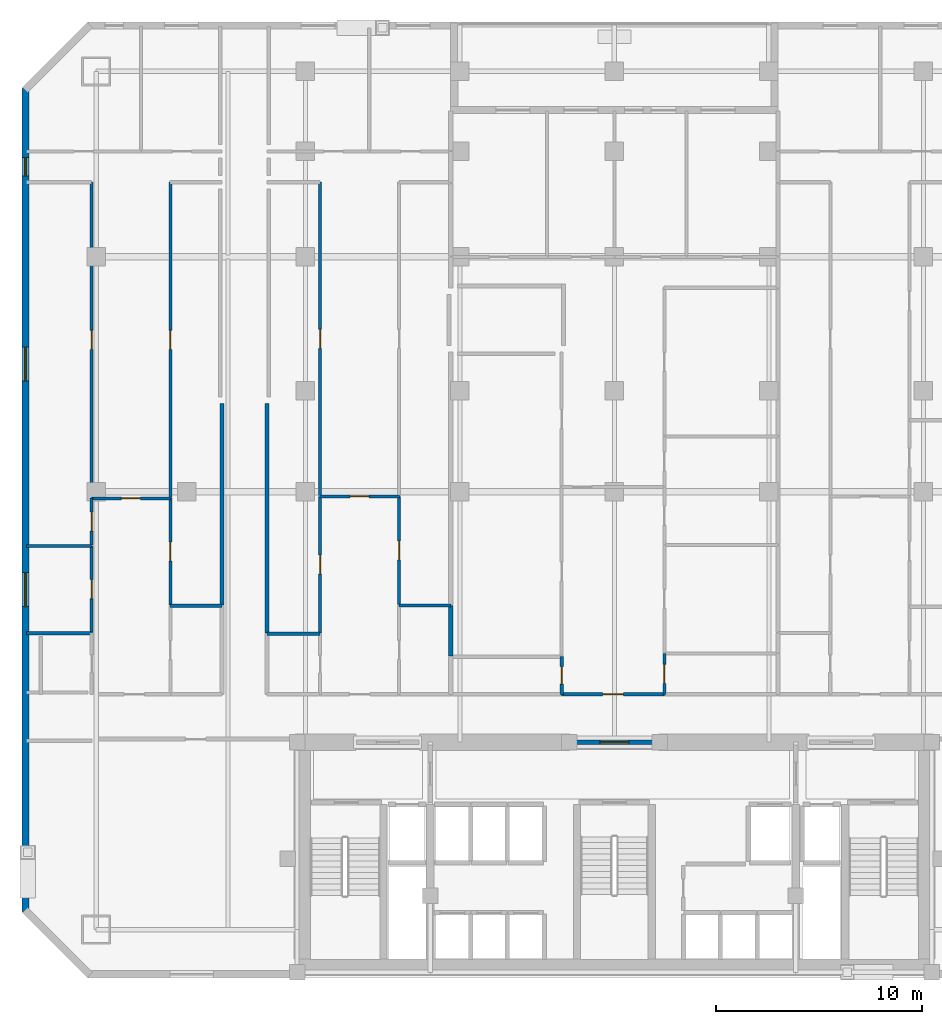
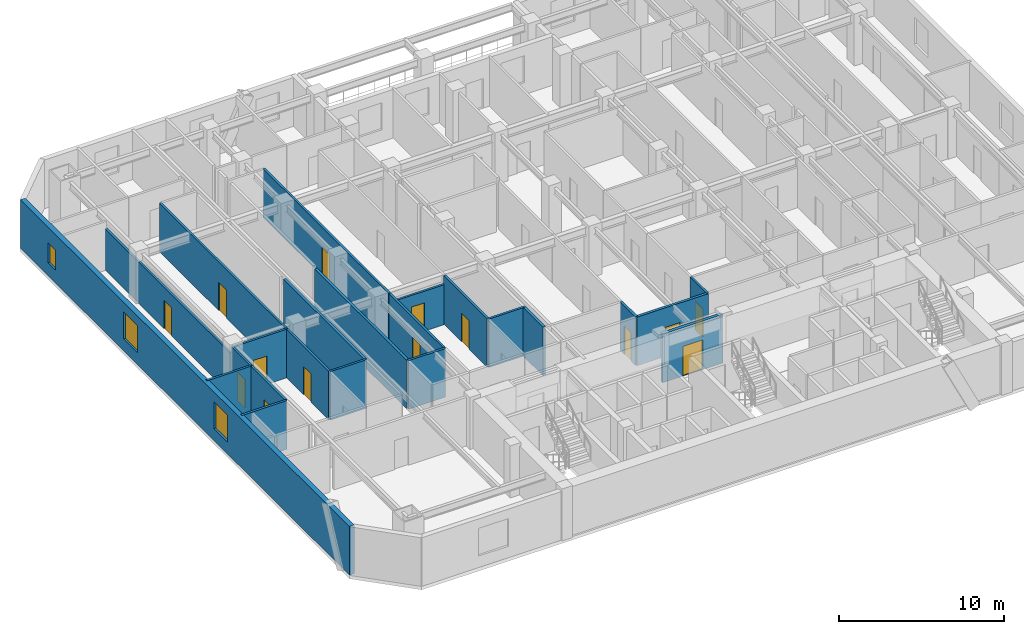
# One storey, part 4 of 10: 23 walls, 14 doors, 3 windows, 17 openings.
"""IFC4 building model written with IfcOpenShell, lengths in metres."""

from ifc_helpers import new_model, si_unit, direction, frame, frame_2d, origin, place, context, subcontext, project, spatial, rectangle, extrude, material, layer, layer_set, type_object, element, fill, save


model = new_model("IFC4")

# Units and contexts
model_context = context("Model", 3, precision=1e-05, world=origin(), true_north=direction((0.0, 1.0)))
body_context = subcontext(model_context, "Body", "Model", "MODEL_VIEW")
ifc_project = project(units=[si_unit("LENGTHUNIT", "METRE"), si_unit("AREAUNIT", "SQUARE_METRE"), si_unit("VOLUMEUNIT", "CUBIC_METRE"), si_unit("PLANEANGLEUNIT", "RADIAN"), si_unit("MASSUNIT", "GRAM", prefix="KILO")], contexts=[model_context])

# Site, building, storey
site_placement = place(None, origin())
site = spatial("IfcSite", under=ifc_project, at=site_placement, CompositionType="ELEMENT")
building_placement = place(site_placement, origin())
building = spatial("IfcBuilding", under=site, at=building_placement, Name="Ventersveld Concourse Tower", CompositionType="ELEMENT")
storey_placement = place(building_placement, frame((0.0, 0.0, 64.449951171875)))
storey = spatial("IfcBuildingStorey", under=building, at=storey_placement, Name="L15", CompositionType="ELEMENT", Elevation=64.449951171875)

# Walls
ifc_material_1 = material(Name="Fire-rated autoclaved aerated masonry blockwork", Category="masonry")
ifc_layer_1 = layer(ifc_material_1, 0.179931640625)
ifc_layer_set_1 = layer_set([ifc_layer_1], Name="Fire-rated autoclaved aerated masonry blockwork")
wall_type_1 = type_object("IfcWallType", Name="WL-CORR-180", PredefinedType="PARTITIONING", material=ifc_layer_set_1)
wall_1_placement = place(storey_placement, frame((9.7099609375, 18.103515625, 0.0), z_axis=(0.0, 0.0, 1.0), x_axis=(0.0, 1.0, 0.0)))
element("IfcWall", 1, at=wall_1_placement, inside=storey, type_object=wall_type_1, Name="L15 Interior Partition SP-L15-COR-SP-L15-15NW-DENR", PredefinedType="PARTITIONING", context=body_context, shape_type="SweptSolid", body=[
    extrude(rectangle(XDim=9.79150390625, YDim=0.179931640625, at=frame_2d((4.895751953125, 0.0))), origin(), (0.0, 0.0, 1.0), 3.60009765625),
])
wall_2_placement = place(storey_placement, frame((11.889892578125, 16.739501953125, 0.0), z_axis=(0.0, 0.0, 1.0), x_axis=(0.0, 1.0, 0.0)))
element("IfcWall", 2, at=wall_2_placement, inside=storey, type_object=wall_type_1, Name="L15 Interior Partition SP-L15-COR-SP-L15-15CW-SEML0", PredefinedType="PARTITIONING", context=body_context, shape_type="SweptSolid", body=[
    extrude(rectangle(XDim=11.155517578125, YDim=0.179931640625, at=frame_2d((5.57763671875, 0.0))), origin(), (0.0, 0.0, 1.0), 3.60009765625),
])

# Wall, opening, door
wall_3_placement = place(storey_placement, frame((26.189697265625, 13.77001953125, 0.0), z_axis=(0.0, 0.0, 1.0), x_axis=(1.0, 0.0, 0.0)))
wall_3 = element("IfcWall", 3, at=wall_3_placement, inside=storey, type_object=wall_type_1, Name="L15 Interior Partition SP-L15-COR-SP-L15-15CM-FOY", PredefinedType="PARTITIONING", context=body_context, shape_type="SweptSolid", body=[
    extrude(rectangle(XDim=4.989990234375, YDim=0.179931640625, at=frame_2d((2.4951171875, 0.0))), origin(), (0.0, 0.0, 1.0), 3.60009765625),
])
opening_1_placement = place(wall_3_placement, frame((1.9951171875, 0.0, 0.0)))
opening_1 = element("IfcOpeningElement", 4, at=opening_1_placement, cuts=wall_3, Name="Opening FD3", PredefinedType="OPENING", context=body_context, shape_type="SweptSolid", body=[
    extrude(rectangle(XDim=1.0, YDim=2.14990234375, at=frame_2d((0.5, 1.074951171875))), frame((0.0, 0.10009765625, 0.0), z_axis=(0.0, -1.0, 0.0), x_axis=(1.0, 0.0, 0.0)), (0.0, 0.0, 1.0), 0.199951171875),
])
ifc_material_2 = material(Name="Solid-core hardwood veneer timber", Category="wood")
door_type_1 = type_object("IfcDoorType", Name="DR-FLAT-100", OperationType="NOTDEFINED", PredefinedType="DOOR", material=ifc_material_2)
door_1_placement = place(opening_1_placement, origin())
door_1 = element("IfcDoor", 5, at=door_1_placement, inside=storey, type_object=door_type_1, Name="L15 Interior Door SP-L15-COR to SP-L15-15CM-FOY (FD-L15-0661)", OperationType="SINGLE_SWING_LEFT", OverallHeight=2.14990234375, OverallWidth=1.0, PredefinedType="DOOR", context=body_context, shape_type="SweptSolid", body=[
    extrude(rectangle(XDim=1.0, YDim=2.14990234375, at=frame_2d((0.5, 1.074951171875))), frame((0.0, 0.02490234375, 0.0), z_axis=(0.0, -1.0, 0.0), x_axis=(1.0, 0.0, 0.0)), (0.0, 0.0, 1.0), 0.050048828125),
])
fill(opening_1, door_1)

# Wall
ifc_layer_2 = layer(ifc_material_1, 0.199951171875)
ifc_layer_set_2 = layer_set([ifc_layer_2], Name="Fire-rated autoclaved aerated masonry blockwork")
wall_type_2 = type_object("IfcWallType", Name="WL-DEMISE-200", PredefinedType="PARTITIONING", material=ifc_layer_set_2)
wall_4_placement = place(storey_placement, frame((20.81005859375, 15.635009765625, 0.0), z_axis=(0.0, 0.0, 1.0), x_axis=(0.0, 1.0, 0.0)))
element("IfcWall", 6, at=wall_4_placement, inside=storey, type_object=wall_type_2, Name="L15 Interior Partition SP-L15-15CW-KIT-SP-L15-15CM-DENL", PredefinedType="PARTITIONING", context=body_context, shape_type="SweptSolid", body=[
    extrude(rectangle(XDim=2.451904296875, YDim=0.199951171875, at=frame_2d((1.22607421875, 0.0))), origin(), (0.0, 0.0, 1.0), 3.60009765625),
])

# Wall, opening, door
ifc_layer_3 = layer(ifc_material_1, 0.219970703125)
ifc_layer_set_3 = layer_set([ifc_layer_3], Name="Fire-rated autoclaved aerated masonry blockwork")
wall_type_3 = type_object("IfcWallType", Name="WL-HOIST-220", PredefinedType="SOLIDWALL", material=ifc_layer_set_3)
wall_5_placement = place(storey_placement, frame((26.6298828125, 11.449951171875, 0.0), z_axis=(0.0, 0.0, 1.0), x_axis=(1.0, 0.0, 0.0)))
wall_5 = element("IfcWall", 7, at=wall_5_placement, inside=storey, type_object=wall_type_3, Name="L15 Core North Fire Portal PLOB-OUT", PredefinedType="SOLIDWALL", context=body_context, shape_type="SweptSolid", body=[
    extrude(rectangle(XDim=4.240234375, YDim=0.219970703125, at=frame_2d((2.1201171875, 0.0))), origin(), (0.0, 0.0, 1.0), 3.60009765625),
])
opening_2_placement = place(wall_5_placement, frame((1.419921875, 0.0, 0.0)))
opening_2 = element("IfcOpeningElement", 8, at=opening_2_placement, cuts=wall_5, Name="Opening FD4", PredefinedType="OPENING", context=body_context, shape_type="SweptSolid", body=[
    extrude(rectangle(XDim=1.39990234375, YDim=2.199951171875, at=frame_2d((0.699951171875, 1.10009765625))), frame((0.0, 0.1201171875, 0.0), z_axis=(0.0, -1.0, 0.0), x_axis=(1.0, 0.0, 0.0)), (0.0, 0.0, 1.0), 0.239990234375),
])
ifc_material_3 = material(Name="Galvanised painted steel", Category="steel")
door_type_2 = type_object("IfcDoorType", Name="DR-PLANT-140", OperationType="DOUBLE_DOOR_SINGLE_SWING", PredefinedType="DOOR", material=ifc_material_3)
door_2_placement = place(opening_2_placement, origin())
door_2 = element("IfcDoor", 9, at=door_2_placement, inside=storey, type_object=door_type_2, Name="L15 Core Lobby Fire Door PLOB-OUT (FD-L15-0652)", OperationType="DOUBLE_DOOR_SINGLE_SWING", OverallHeight=2.199951171875, OverallWidth=1.39990234375, PredefinedType="DOOR", context=body_context, shape_type="SweptSolid", body=[
    extrude(rectangle(XDim=1.39990234375, YDim=2.199951171875, at=frame_2d((0.699951171875, 1.10009765625))), frame((0.0, 0.02490234375, 0.0), z_axis=(0.0, -1.0, 0.0), x_axis=(1.0, 0.0, 0.0)), (0.0, 0.0, 1.0), 0.050048828125),
])
fill(opening_2, door_2)

ifc_material_4 = material(Name="Autoclaved aerated masonry blockwork", Category="masonry")
ifc_layer_4 = layer(ifc_material_4, 0.14990234375)
ifc_layer_set_4 = layer_set([ifc_layer_4], Name="Autoclaved aerated masonry blockwork")
wall_type_4 = type_object("IfcWallType", Name="WL-INT-150", PredefinedType="PARTITIONING", material=ifc_layer_set_4)
wall_6_placement = place(storey_placement, frame((3.3720703125, 23.2822265625, 0.0), z_axis=(0.0, 0.0, 1.0), x_axis=(1.0, 0.0, 0.0)))
wall_6 = element("IfcWall", 10, at=wall_6_placement, inside=storey, type_object=wall_type_4, Name="L15 Interior Partition SP-L15-15NW-FOY-SP-L15-15NW-LIV", PredefinedType="PARTITIONING", context=body_context, shape_type="SweptSolid", body=[
    extrude(rectangle(XDim=3.83203125, YDim=0.14990234375, at=frame_2d((1.916015625, 0.0))), origin(), (0.0, 0.0, 1.0), 3.60009765625),
])
opening_3_placement = place(wall_6_placement, frame((1.4560546875, 0.0, 0.0)))
opening_3 = element("IfcOpeningElement", 11, at=opening_3_placement, cuts=wall_6, Name="Opening ID1", PredefinedType="OPENING", context=body_context, shape_type="SweptSolid", body=[
    extrude(rectangle(XDim=0.919921875, YDim=2.10009765625, at=frame_2d((0.4599609375, 1.050048828125))), frame((0.0, 0.0849609375, 0.0), z_axis=(0.0, -1.0, 0.0), x_axis=(1.0, 0.0, 0.0)), (0.0, 0.0, 1.0), 0.169921875),
])
door_type_3 = type_object("IfcDoorType", Name="DR-ROOM-092", OperationType="NOTDEFINED", PredefinedType="DOOR", material=ifc_material_2)
door_3_placement = place(opening_3_placement, origin())
door_3 = element("IfcDoor", 12, at=door_3_placement, inside=storey, type_object=door_type_3, Name="L15 Interior Door SP-L15-15NW-FOY to SP-L15-15NW-LIV (D-L15-0662)", OperationType="SINGLE_SWING_RIGHT", OverallHeight=2.10009765625, OverallWidth=0.919921875, PredefinedType="DOOR", context=body_context, shape_type="SweptSolid", body=[
    extrude(rectangle(XDim=0.919921875, YDim=2.10009765625, at=frame_2d((0.4599609375, 1.050048828125))), frame((0.0, 0.02490234375, 0.0), z_axis=(0.0, -1.0, 0.0), x_axis=(1.0, 0.0, 0.0)), (0.0, 0.0, 1.0), 0.050048828125),
])
fill(opening_3, door_3)

wall_7_placement = place(storey_placement, frame((3.377197265625, 16.773193359375, 0.0), z_axis=(0.0, 0.0, 1.0), x_axis=(0.0, 1.0, 0.0)))
wall_7 = element("IfcWall", 13, at=wall_7_placement, inside=storey, type_object=wall_type_4, Name="L15 Interior Partition SP-L15-15NW-FOY-SP-L15-15NW-PANL0", PredefinedType="PARTITIONING", context=body_context, shape_type="SweptSolid", body=[
    extrude(rectangle(XDim=4.20556640625, YDim=0.14990234375, at=frame_2d((2.102783203125, 0.0))), origin(), (0.0, 0.0, 1.0), 3.60009765625),
])
opening_4_placement = place(wall_7_placement, frame((1.642822265625, 0.0, 0.0)))
opening_4 = element("IfcOpeningElement", 14, at=opening_4_placement, cuts=wall_7, Name="Opening ID1", PredefinedType="OPENING", context=body_context, shape_type="SweptSolid", body=[
    extrude(rectangle(XDim=0.919921875, YDim=2.10009765625, at=frame_2d((0.4599609375, 1.050048828125))), frame((0.0, 0.0849609375, 0.0), z_axis=(0.0, -1.0, 0.0), x_axis=(1.0, 0.0, 0.0)), (0.0, 0.0, 1.0), 0.169921875),
])
door_4_placement = place(opening_4_placement, origin())
door_4 = element("IfcDoor", 15, at=door_4_placement, inside=storey, type_object=door_type_3, Name="L15 Interior Door SP-L15-15NW-FOY to SP-L15-15NW-PANL0 (D-L15-0664)", OperationType="SINGLE_SWING_RIGHT", OverallHeight=2.10009765625, OverallWidth=0.919921875, PredefinedType="DOOR", context=body_context, shape_type="SweptSolid", body=[
    extrude(rectangle(XDim=0.919921875, YDim=2.10009765625, at=frame_2d((0.4599609375, 1.050048828125))), frame((0.0, 0.02490234375, 0.0), z_axis=(0.0, -1.0, 0.0), x_axis=(1.0, 0.0, 0.0)), (0.0, 0.0, 1.0), 0.050048828125),
])
fill(opening_4, door_4)

wall_8_placement = place(storey_placement, frame((3.377197265625, 21.0087890625, 0.0), z_axis=(0.0, 0.0, 1.0), x_axis=(0.0, 1.0, 0.0)))
wall_8 = element("IfcWall", 16, at=wall_8_placement, inside=storey, type_object=wall_type_4, Name="L15 Interior Partition SP-L15-15NW-FOY-SP-L15-15NW-DENL", PredefinedType="PARTITIONING", context=body_context, shape_type="SweptSolid", body=[
    extrude(rectangle(XDim=2.2783203125, YDim=0.14990234375, at=frame_2d((1.13916015625, 0.0))), origin(), (0.0, 0.0, 1.0), 3.60009765625),
])
opening_5_placement = place(wall_8_placement, frame((0.67919921875, 0.0, 0.0)))
opening_5 = element("IfcOpeningElement", 17, at=opening_5_placement, cuts=wall_8, Name="Opening ID1", PredefinedType="OPENING", context=body_context, shape_type="SweptSolid", body=[
    extrude(rectangle(XDim=0.919921875, YDim=2.10009765625, at=frame_2d((0.4599609375, 1.050048828125))), frame((0.0, 0.0849609375, 0.0), z_axis=(0.0, -1.0, 0.0), x_axis=(1.0, 0.0, 0.0)), (0.0, 0.0, 1.0), 0.169921875),
])
door_5_placement = place(opening_5_placement, origin())
door_5 = element("IfcDoor", 18, at=door_5_placement, inside=storey, type_object=door_type_3, Name="L15 Interior Door SP-L15-15NW-FOY to SP-L15-15NW-DENL (D-L15-0665)", OperationType="SINGLE_SWING_LEFT", OverallHeight=2.10009765625, OverallWidth=0.919921875, PredefinedType="DOOR", context=body_context, shape_type="SweptSolid", body=[
    extrude(rectangle(XDim=0.919921875, YDim=2.10009765625, at=frame_2d((0.4599609375, 1.050048828125))), frame((0.0, 0.02490234375, 0.0), z_axis=(0.0, -1.0, 0.0), x_axis=(1.0, 0.0, 0.0)), (0.0, 0.0, 1.0), 0.050048828125),
])
fill(opening_5, door_5)

wall_9_placement = place(storey_placement, frame((7.19921875, 18.103515625, 0.0), z_axis=(0.0, 0.0, 1.0), x_axis=(0.0, 1.0, 0.0)))
wall_9 = element("IfcWall", 19, at=wall_9_placement, inside=storey, type_object=wall_type_4, Name="L15 Interior Partition SP-L15-15NW-FOY-SP-L15-15NW-DENR", PredefinedType="PARTITIONING", context=body_context, shape_type="SweptSolid", body=[
    extrude(rectangle(XDim=5.18359375, YDim=0.14990234375, at=frame_2d((2.591796875, 0.0))), origin(), (0.0, 0.0, 1.0), 3.60009765625),
])
opening_6_placement = place(wall_9_placement, frame((2.1318359375, 0.0, 0.0)))
opening_6 = element("IfcOpeningElement", 20, at=opening_6_placement, cuts=wall_9, Name="Opening ID1", PredefinedType="OPENING", context=body_context, shape_type="SweptSolid", body=[
    extrude(rectangle(XDim=0.919921875, YDim=2.10009765625, at=frame_2d((0.4599609375, 1.050048828125))), frame((0.0, 0.0849609375, 0.0), z_axis=(0.0, -1.0, 0.0), x_axis=(1.0, 0.0, 0.0)), (0.0, 0.0, 1.0), 0.169921875),
])
door_6_placement = place(opening_6_placement, origin())
door_6 = element("IfcDoor", 21, at=door_6_placement, inside=storey, type_object=door_type_3, Name="L15 Interior Door SP-L15-15NW-FOY to SP-L15-15NW-DENR (D-L15-0667)", OperationType="SINGLE_SWING_LEFT", OverallHeight=2.10009765625, OverallWidth=0.919921875, PredefinedType="DOOR", context=body_context, shape_type="SweptSolid", body=[
    extrude(rectangle(XDim=0.919921875, YDim=2.10009765625, at=frame_2d((0.4599609375, 1.050048828125))), frame((0.0, 0.02490234375, 0.0), z_axis=(0.0, -1.0, 0.0), x_axis=(1.0, 0.0, 0.0)), (0.0, 0.0, 1.0), 0.050048828125),
])
fill(opening_6, door_6)

wall_10_placement = place(storey_placement, frame((3.377197265625, 23.317138671875, 0.0), z_axis=(0.0, 0.0, 1.0), x_axis=(0.0, 1.0, 0.0)))
wall_10 = element("IfcWall", 22, at=wall_10_placement, inside=storey, type_object=wall_type_4, Name="L15 Interior Partition SP-L15-15NW-LIV-SP-L15-15NW-DENL", PredefinedType="PARTITIONING", context=body_context, shape_type="SweptSolid", body=[
    extrude(rectangle(XDim=15.307861328125, YDim=0.14990234375, at=frame_2d((7.65380859375, 0.0))), origin(), (0.0, 0.0, 1.0), 3.0556640625),
])
opening_7_placement = place(wall_10_placement, frame((7.19384765625, 0.0, 0.0)))
opening_7 = element("IfcOpeningElement", 23, at=opening_7_placement, cuts=wall_10, Name="Opening ID1", PredefinedType="OPENING", context=body_context, shape_type="SweptSolid", body=[
    extrude(rectangle(XDim=0.919921875, YDim=2.10009765625, at=frame_2d((0.4599609375, 1.050048828125))), frame((0.0, 0.0849609375, 0.0), z_axis=(0.0, -1.0, 0.0), x_axis=(1.0, 0.0, 0.0)), (0.0, 0.0, 1.0), 0.169921875),
])
door_7_placement = place(opening_7_placement, origin())
door_7 = element("IfcDoor", 24, at=door_7_placement, inside=storey, type_object=door_type_3, Name="L15 Interior Door SP-L15-15NW-LIV to SP-L15-15NW-DENL (D-L15-0668)", OperationType="SINGLE_SWING_RIGHT", OverallHeight=2.10009765625, OverallWidth=0.919921875, PredefinedType="DOOR", context=body_context, shape_type="SweptSolid", body=[
    extrude(rectangle(XDim=0.919921875, YDim=2.10009765625, at=frame_2d((0.4599609375, 1.050048828125))), frame((0.0, 0.02490234375, 0.0), z_axis=(0.0, -1.0, 0.0), x_axis=(1.0, 0.0, 0.0)), (0.0, 0.0, 1.0), 0.050048828125),
])
fill(opening_7, door_7)

wall_11_placement = place(storey_placement, frame((7.19921875, 23.317138671875, 0.0), z_axis=(0.0, 0.0, 1.0), x_axis=(0.0, 1.0, 0.0)))
wall_11 = element("IfcWall", 25, at=wall_11_placement, inside=storey, type_object=wall_type_4, Name="L15 Interior Partition SP-L15-15NW-LIV-SP-L15-15NW-DENR", PredefinedType="PARTITIONING", context=body_context, shape_type="SweptSolid", body=[
    extrude(rectangle(XDim=15.307861328125, YDim=0.14990234375, at=frame_2d((7.65380859375, 0.0))), origin(), (0.0, 0.0, 1.0), 3.60009765625),
])
opening_8_placement = place(wall_11_placement, frame((7.19384765625, 0.0, 0.0)))
opening_8 = element("IfcOpeningElement", 26, at=opening_8_placement, cuts=wall_11, Name="Opening ID1", PredefinedType="OPENING", context=body_context, shape_type="SweptSolid", body=[
    extrude(rectangle(XDim=0.919921875, YDim=2.10009765625, at=frame_2d((0.4599609375, 1.050048828125))), frame((0.0, 0.0849609375, 0.0), z_axis=(0.0, -1.0, 0.0), x_axis=(1.0, 0.0, 0.0)), (0.0, 0.0, 1.0), 0.169921875),
])
door_8_placement = place(opening_8_placement, origin())
door_8 = element("IfcDoor", 27, at=door_8_placement, inside=storey, type_object=door_type_3, Name="L15 Interior Door SP-L15-15NW-LIV to SP-L15-15NW-DENR (D-L15-0669)", OperationType="SINGLE_SWING_LEFT", OverallHeight=2.10009765625, OverallWidth=0.919921875, PredefinedType="DOOR", context=body_context, shape_type="SweptSolid", body=[
    extrude(rectangle(XDim=0.919921875, YDim=2.10009765625, at=frame_2d((0.4599609375, 1.050048828125))), frame((0.0, 0.02490234375, 0.0), z_axis=(0.0, -1.0, 0.0), x_axis=(1.0, 0.0, 0.0)), (0.0, 0.0, 1.0), 0.050048828125),
])
fill(opening_8, door_8)

# Walls
wall_12_placement = place(storey_placement, frame((0.2099609375, 20.973876953125, 0.0), z_axis=(0.0, 0.0, 1.0), x_axis=(1.0, 0.0, 0.0)))
element("IfcWall", 28, at=wall_12_placement, inside=storey, type_object=wall_type_4, Name="L15 Interior Partition SP-L15-15NW-PANL0-SP-L15-15NW-DENL", PredefinedType="PARTITIONING", context=body_context, shape_type="SweptSolid", body=[
    extrude(rectangle(XDim=3.172119140625, YDim=0.14990234375, at=frame_2d((1.5859375, 0.0))), origin(), (0.0, 0.0, 1.0), 3.60009765625),
])
wall_13_placement = place(storey_placement, frame((7.194091796875, 18.068603515625, 0.0), z_axis=(0.0, 0.0, 1.0), x_axis=(1.0, 0.0, 0.0)))
element("IfcWall", 29, at=wall_13_placement, inside=storey, type_object=wall_type_4, Name="L15 Interior Partition SP-L15-15NW-KIT-SP-L15-15NW-DENR", PredefinedType="PARTITIONING", context=body_context, shape_type="SweptSolid", body=[
    extrude(rectangle(XDim=2.52099609375, YDim=0.14990234375, at=frame_2d((1.260498046875, 0.0))), origin(), (0.0, 0.0, 1.0), 3.60009765625),
])

# Wall, opening, door
wall_14_placement = place(storey_placement, frame((14.461181640625, 23.37451171875, 0.0), z_axis=(0.0, 0.0, 1.0), x_axis=(1.0, 0.0, 0.0)))
wall_14 = element("IfcWall", 30, at=wall_14_placement, inside=storey, type_object=wall_type_4, Name="L15 Interior Partition SP-L15-15CW-FOY-SP-L15-15CW-LIV", PredefinedType="PARTITIONING", context=body_context, shape_type="SweptSolid", body=[
    extrude(rectangle(XDim=3.850341796875, YDim=0.14990234375, at=frame_2d((1.92529296875, 0.0))), origin(), (0.0, 0.0, 1.0), 2.96435546875),
])
opening_9_placement = place(wall_14_placement, frame((1.465087890625, 0.0, 0.0)))
opening_9 = element("IfcOpeningElement", 31, at=opening_9_placement, cuts=wall_14, Name="Opening ID1", PredefinedType="OPENING", context=body_context, shape_type="SweptSolid", body=[
    extrude(rectangle(XDim=0.919921875, YDim=2.10009765625, at=frame_2d((0.4599609375, 1.050048828125))), frame((0.0, 0.0849609375, 0.0), z_axis=(0.0, -1.0, 0.0), x_axis=(1.0, 0.0, 0.0)), (0.0, 0.0, 1.0), 0.169921875),
])
door_9_placement = place(opening_9_placement, origin())
door_9 = element("IfcDoor", 32, at=door_9_placement, inside=storey, type_object=door_type_3, Name="L15 Interior Door SP-L15-15CW-FOY to SP-L15-15CW-LIV (D-L15-0683)", OperationType="SINGLE_SWING_LEFT", OverallHeight=2.10009765625, OverallWidth=0.919921875, PredefinedType="DOOR", context=body_context, shape_type="SweptSolid", body=[
    extrude(rectangle(XDim=0.919921875, YDim=2.10009765625, at=frame_2d((0.4599609375, 1.050048828125))), frame((0.0, 0.02490234375, 0.0), z_axis=(0.0, -1.0, 0.0), x_axis=(1.0, 0.0, 0.0)), (0.0, 0.0, 1.0), 0.050048828125),
])
fill(opening_9, door_9)

wall_15_placement = place(storey_placement, frame((14.46630859375, 16.739501953125, 0.0), z_axis=(0.0, 0.0, 1.0), x_axis=(0.0, 1.0, 0.0)))
wall_15 = element("IfcWall", 33, at=wall_15_placement, inside=storey, type_object=wall_type_4, Name="L15 Interior Partition SP-L15-15CW-FOY-SP-L15-15CW-SEML0", PredefinedType="PARTITIONING", context=body_context, shape_type="SweptSolid", body=[
    extrude(rectangle(XDim=6.64013671875, YDim=0.14990234375, at=frame_2d((3.320068359375, 0.0))), origin(), (0.0, 0.0, 1.0), 3.60009765625),
])
opening_10_placement = place(wall_15_placement, frame((2.860107421875, 0.0, 0.0)))
opening_10 = element("IfcOpeningElement", 34, at=opening_10_placement, cuts=wall_15, Name="Opening ID1", PredefinedType="OPENING", context=body_context, shape_type="SweptSolid", body=[
    extrude(rectangle(XDim=0.919921875, YDim=2.10009765625, at=frame_2d((0.4599609375, 1.050048828125))), frame((0.0, 0.0849609375, 0.0), z_axis=(0.0, -1.0, 0.0), x_axis=(1.0, 0.0, 0.0)), (0.0, 0.0, 1.0), 0.169921875),
])
door_10_placement = place(opening_10_placement, origin())
door_10 = element("IfcDoor", 35, at=door_10_placement, inside=storey, type_object=door_type_3, Name="L15 Interior Door SP-L15-15CW-FOY to SP-L15-15CW-SEML0 (D-L15-0685)", OperationType="SINGLE_SWING_LEFT", OverallHeight=2.10009765625, OverallWidth=0.919921875, PredefinedType="DOOR", context=body_context, shape_type="SweptSolid", body=[
    extrude(rectangle(XDim=0.919921875, YDim=2.10009765625, at=frame_2d((0.4599609375, 1.050048828125))), frame((0.0, 0.02490234375, 0.0), z_axis=(0.0, -1.0, 0.0), x_axis=(1.0, 0.0, 0.0)), (0.0, 0.0, 1.0), 0.050048828125),
])
fill(opening_10, door_10)

wall_16_placement = place(storey_placement, frame((18.306640625, 18.116943359375, 0.0), z_axis=(0.0, 0.0, 1.0), x_axis=(0.0, 1.0, 0.0)))
wall_16 = element("IfcWall", 36, at=wall_16_placement, inside=storey, type_object=wall_type_4, Name="L15 Interior Partition SP-L15-15CW-FOY-SP-L15-15CW-DENR", PredefinedType="PARTITIONING", context=body_context, shape_type="SweptSolid", body=[
    extrude(rectangle(XDim=5.2626953125, YDim=0.14990234375, at=frame_2d((2.63134765625, 0.0))), origin(), (0.0, 0.0, 1.0), 3.60009765625),
])
opening_11_placement = place(wall_16_placement, frame((2.17138671875, 0.0, 0.0)))
opening_11 = element("IfcOpeningElement", 37, at=opening_11_placement, cuts=wall_16, Name="Opening ID1", PredefinedType="OPENING", context=body_context, shape_type="SweptSolid", body=[
    extrude(rectangle(XDim=0.919921875, YDim=2.10009765625, at=frame_2d((0.4599609375, 1.050048828125))), frame((0.0, 0.0849609375, 0.0), z_axis=(0.0, -1.0, 0.0), x_axis=(1.0, 0.0, 0.0)), (0.0, 0.0, 1.0), 0.169921875),
])
door_11_placement = place(opening_11_placement, origin())
door_11 = element("IfcDoor", 38, at=door_11_placement, inside=storey, type_object=door_type_3, Name="L15 Interior Door SP-L15-15CW-FOY to SP-L15-15CW-DENR (D-L15-0687)", OperationType="SINGLE_SWING_LEFT", OverallHeight=2.10009765625, OverallWidth=0.919921875, PredefinedType="DOOR", context=body_context, shape_type="SweptSolid", body=[
    extrude(rectangle(XDim=0.919921875, YDim=2.10009765625, at=frame_2d((0.4599609375, 1.050048828125))), frame((0.0, 0.02490234375, 0.0), z_axis=(0.0, -1.0, 0.0), x_axis=(1.0, 0.0, 0.0)), (0.0, 0.0, 1.0), 0.050048828125),
])
fill(opening_11, door_11)

wall_17_placement = place(storey_placement, frame((14.46630859375, 23.40966796875, 0.0), z_axis=(0.0, 0.0, 1.0), x_axis=(0.0, 1.0, 0.0)))
wall_17 = element("IfcWall", 39, at=wall_17_placement, inside=storey, type_object=wall_type_4, Name="L15 Interior Partition SP-L15-15CW-LIV-SP-L15-15CW-SEML0", PredefinedType="PARTITIONING", context=body_context, shape_type="SweptSolid", body=[
    extrude(rectangle(XDim=15.21533203125, YDim=0.14990234375, at=frame_2d((7.607666015625, 0.0))), origin(), (0.0, 0.0, 1.0), 3.60009765625),
])
opening_12_placement = place(wall_17_placement, frame((7.147705078125, 0.0, 0.0)))
opening_12 = element("IfcOpeningElement", 40, at=opening_12_placement, cuts=wall_17, Name="Opening ID1", PredefinedType="OPENING", context=body_context, shape_type="SweptSolid", body=[
    extrude(rectangle(XDim=0.919921875, YDim=2.10009765625, at=frame_2d((0.4599609375, 1.050048828125))), frame((0.0, 0.0849609375, 0.0), z_axis=(0.0, -1.0, 0.0), x_axis=(1.0, 0.0, 0.0)), (0.0, 0.0, 1.0), 0.169921875),
])
door_12_placement = place(opening_12_placement, origin())
door_12 = element("IfcDoor", 41, at=door_12_placement, inside=storey, type_object=door_type_3, Name="L15 Interior Door SP-L15-15CW-LIV to SP-L15-15CW-SEML0 (D-L15-0688)", OperationType="SINGLE_SWING_RIGHT", OverallHeight=2.10009765625, OverallWidth=0.919921875, PredefinedType="DOOR", context=body_context, shape_type="SweptSolid", body=[
    extrude(rectangle(XDim=0.919921875, YDim=2.10009765625, at=frame_2d((0.4599609375, 1.050048828125))), frame((0.0, 0.02490234375, 0.0), z_axis=(0.0, -1.0, 0.0), x_axis=(1.0, 0.0, 0.0)), (0.0, 0.0, 1.0), 0.050048828125),
])
fill(opening_12, door_12)

# Wall
wall_18_placement = place(storey_placement, frame((18.301513671875, 18.081787109375, 0.0), z_axis=(0.0, 0.0, 1.0), x_axis=(1.0, 0.0, 0.0)))
element("IfcWall", 42, at=wall_18_placement, inside=storey, type_object=wall_type_4, Name="L15 Interior Partition SP-L15-15CW-KIT-SP-L15-15CW-DENR", PredefinedType="PARTITIONING", context=body_context, shape_type="SweptSolid", body=[
    extrude(rectangle(XDim=2.513427734375, YDim=0.14990234375, at=frame_2d((1.2568359375, 0.0))), origin(), (0.0, 0.0, 1.0), 3.60009765625),
])

# Wall, opening, door
wall_19_placement = place(storey_placement, frame((31.1748046875, 13.764892578125, 0.0), z_axis=(0.0, 0.0, 1.0), x_axis=(0.0, 1.0, 0.0)))
wall_19 = element("IfcWall", 43, at=wall_19_placement, inside=storey, type_object=wall_type_4, Name="L15 Interior Partition SP-L15-15CM-FOY-SP-L15-15CM-KIT", PredefinedType="PARTITIONING", context=body_context, shape_type="SweptSolid", body=[
    extrude(rectangle(XDim=1.989501953125, YDim=0.14990234375, at=frame_2d((0.99462890625, 0.0))), origin(), (0.0, 0.0, 1.0), 3.60009765625),
])
opening_13_placement = place(wall_19_placement, frame((0.53466796875, 0.0, 0.0)))
opening_13 = element("IfcOpeningElement", 44, at=opening_13_placement, cuts=wall_19, Name="Opening ID1", PredefinedType="OPENING", context=body_context, shape_type="SweptSolid", body=[
    extrude(rectangle(XDim=0.919921875, YDim=2.10009765625, at=frame_2d((0.4599609375, 1.050048828125))), frame((0.0, 0.0849609375, 0.0), z_axis=(0.0, -1.0, 0.0), x_axis=(1.0, 0.0, 0.0)), (0.0, 0.0, 1.0), 0.169921875),
])
door_13_placement = place(opening_13_placement, origin())
door_13 = element("IfcDoor", 45, at=door_13_placement, inside=storey, type_object=door_type_3, Name="L15 Interior Door SP-L15-15CM-FOY to SP-L15-15CM-KIT (D-L15-0705)", OperationType="SINGLE_SWING_LEFT", OverallHeight=2.10009765625, OverallWidth=0.919921875, PredefinedType="DOOR", context=body_context, shape_type="SweptSolid", body=[
    extrude(rectangle(XDim=0.919921875, YDim=2.10009765625, at=frame_2d((0.4599609375, 1.050048828125))), frame((0.0, 0.02490234375, 0.0), z_axis=(0.0, -1.0, 0.0), x_axis=(1.0, 0.0, 0.0)), (0.0, 0.0, 1.0), 0.050048828125),
])
fill(opening_13, door_13)

# Wall, openings, windows
ifc_material_5 = material(Name="Precast concrete C45/55", Category="concrete")
ifc_layer_5 = layer(ifc_material_5, 0.35009765625)
ifc_layer_set_5 = layer_set([ifc_layer_5], Name="Precast concrete C45/55")
wall_type_5 = type_object("IfcWallType", Name="WL-PREC-350", PredefinedType="SOLIDWALL", material=ifc_layer_set_5)
wall_20_placement = place(storey_placement, frame((0.175048828125, 43.159912109375, 0.0), z_axis=(0.0, 0.0, 1.0), x_axis=(0.0, -1.0, 0.0)))
wall_20 = element("IfcWall", 46, at=wall_20_placement, inside=storey, type_object=wall_type_5, Name="L15 Highveld Precast Facade Wall E11", PredefinedType="SOLIDWALL", context=body_context, shape_type="SweptSolid", body=[
    extrude(rectangle(XDim=39.919921875, YDim=0.35009765625, at=frame_2d((19.9599609375, 0.0))), origin(), (0.0, 0.0, 1.0), 3.60009765625),
])
opening_14_placement = place(wall_20_placement, frame((3.340087890625, 0.0, 0.949951171875)))
opening_14 = element("IfcOpeningElement", 47, at=opening_14_placement, cuts=wall_20, Name="Opening W4", PredefinedType="OPENING", context=body_context, shape_type="SweptSolid", body=[
    extrude(rectangle(XDim=0.89990234375, YDim=1.5, at=frame_2d((0.449951171875, 0.75))), frame((0.0, 0.18505859375, 0.0), z_axis=(0.0, -1.0, 0.0), x_axis=(1.0, 0.0, 0.0)), (0.0, 0.0, 1.0), 0.3701171875),
])
opening_15_placement = place(wall_20_placement, frame((23.47900390625, 0.0, 0.8798828125)))
opening_15 = element("IfcOpeningElement", 48, at=opening_15_placement, cuts=wall_20, Name="Opening W6", PredefinedType="OPENING", context=body_context, shape_type="SweptSolid", body=[
    extrude(rectangle(XDim=1.64990234375, YDim=2.0, at=frame_2d((0.824951171875, 1.0))), frame((0.0, 0.18505859375, 0.0), z_axis=(0.0, -1.0, 0.0), x_axis=(1.0, 0.0, 0.0)), (0.0, 0.0, 1.0), 0.3701171875),
])
opening_16_placement = place(wall_20_placement, frame((12.5380859375, 0.0, 0.8798828125)))
opening_16 = element("IfcOpeningElement", 49, at=opening_16_placement, cuts=wall_20, Name="Opening W6", PredefinedType="OPENING", context=body_context, shape_type="SweptSolid", body=[
    extrude(rectangle(XDim=1.64990234375, YDim=2.0, at=frame_2d((0.824951171875, 1.0))), frame((0.0, 0.18505859375, 0.0), z_axis=(0.0, -1.0, 0.0), x_axis=(1.0, 0.0, 0.0)), (0.0, 0.0, 1.0), 0.3701171875),
])
ifc_material_6 = material(Name="Tempered acoustic Low-E IGU", Category="glass")
window_type_1 = type_object("IfcWindowType", Name="WIN-090x150", PartitioningType="SINGLE_PANEL", PredefinedType="WINDOW", material=ifc_material_6)
window_1_placement = place(opening_14_placement, origin())
window_1 = element("IfcWindow", 50, at=window_1_placement, inside=storey, type_object=window_type_1, Name="L15 Punched Low-E Window W-0125", OverallHeight=1.5, OverallWidth=0.89990234375, PartitioningType="SINGLE_PANEL", PredefinedType="WINDOW", context=body_context, shape_type="SweptSolid", body=[
    extrude(rectangle(XDim=0.89990234375, YDim=1.5, at=frame_2d((0.449951171875, 0.75))), frame((0.0, 0.030029296875, 0.0), z_axis=(0.0, -1.0, 0.0), x_axis=(1.0, 0.0, 0.0)), (0.0, 0.0, 1.0), 0.06005859375),
])
fill(opening_14, window_1)
window_type_2 = type_object("IfcWindowType", Name="WIN-165x200", PartitioningType="SINGLE_PANEL", PredefinedType="WINDOW", material=ifc_material_6)
window_2_placement = place(opening_15_placement, origin())
window_2 = element("IfcWindow", 51, at=window_2_placement, inside=storey, type_object=window_type_2, Name="L15 Punched Low-E Window W-0126", OverallHeight=2.0, OverallWidth=1.64990234375, PartitioningType="SINGLE_PANEL", PredefinedType="WINDOW", context=body_context, shape_type="SweptSolid", body=[
    extrude(rectangle(XDim=1.64990234375, YDim=2.0, at=frame_2d((0.824951171875, 1.0))), frame((0.0, 0.030029296875, 0.0), z_axis=(0.0, -1.0, 0.0), x_axis=(1.0, 0.0, 0.0)), (0.0, 0.0, 1.0), 0.06005859375),
])
fill(opening_15, window_2)
window_3_placement = place(opening_16_placement, origin())
window_3 = element("IfcWindow", 52, at=window_3_placement, inside=storey, type_object=window_type_2, Name="L15 Punched Low-E Window W-0127", OverallHeight=2.0, OverallWidth=1.64990234375, PartitioningType="SINGLE_PANEL", PredefinedType="WINDOW", context=body_context, shape_type="SweptSolid", body=[
    extrude(rectangle(XDim=1.64990234375, YDim=2.0, at=frame_2d((0.824951171875, 1.0))), frame((0.0, 0.030029296875, 0.0), z_axis=(0.0, -1.0, 0.0), x_axis=(1.0, 0.0, 0.0)), (0.0, 0.0, 1.0), 0.06005859375),
])
fill(opening_16, window_3)

# Walls
ifc_layer_6 = layer(ifc_material_4, 0.1650390625)
ifc_layer_set_6 = layer_set([ifc_layer_6], Name="Autoclaved aerated masonry blockwork")
wall_type_6 = type_object("IfcWallType", Name="WL-WET-165", PredefinedType="PLUMBINGWALL", material=ifc_layer_set_6)
wall_21_placement = place(storey_placement, frame((0.2099609375, 16.73828125, 0.0), z_axis=(0.0, 0.0, 1.0), x_axis=(1.0, 0.0, 0.0)))
element("IfcWall", 53, at=wall_21_placement, inside=storey, type_object=wall_type_6, Name="L15 Interior Partition SP-L15-15NW-BATH-SP-L15-15NW-PANL0", PredefinedType="PLUMBINGWALL", context=body_context, shape_type="SweptSolid", body=[
    extrude(rectangle(XDim=3.172119140625, YDim=0.1650390625, at=frame_2d((1.5859375, 0.0))), origin(), (0.0, 0.0, 1.0), 3.60009765625),
])
wall_22_placement = place(storey_placement, frame((11.885009765625, 16.704345703125, 0.0), z_axis=(0.0, 0.0, 1.0), x_axis=(1.0, 0.0, 0.0)))
element("IfcWall", 54, at=wall_22_placement, inside=storey, type_object=wall_type_6, Name="L15 Interior Partition SP-L15-15CW-BATH-SP-L15-15CW-SEML0", PredefinedType="PLUMBINGWALL", context=body_context, shape_type="SweptSolid", body=[
    extrude(rectangle(XDim=2.586181640625, YDim=0.1650390625, at=frame_2d((1.29296875, 0.0))), origin(), (0.0, 0.0, 1.0), 3.60009765625),
])

# Wall, opening, door
wall_23_placement = place(storey_placement, frame((26.194580078125, 13.764892578125, 0.0), z_axis=(0.0, 0.0, 1.0), x_axis=(0.0, 1.0, 0.0)))
wall_23 = element("IfcWall", 55, at=wall_23_placement, inside=storey, type_object=wall_type_6, Name="L15 Interior Partition SP-L15-15CM-FOY-SP-L15-15CM-BATH", PredefinedType="PLUMBINGWALL", context=body_context, shape_type="SweptSolid", body=[
    extrude(rectangle(XDim=1.840087890625, YDim=0.1650390625, at=frame_2d((0.919921875, 0.0))), origin(), (0.0, 0.0, 1.0), 3.60009765625),
])
opening_17_placement = place(wall_23_placement, frame((0.4951171875, 0.0, 0.0)))
opening_17 = element("IfcOpeningElement", 56, at=opening_17_placement, cuts=wall_23, Name="Opening ID2", PredefinedType="OPENING", context=body_context, shape_type="SweptSolid", body=[
    extrude(rectangle(XDim=0.85009765625, YDim=2.10009765625, at=frame_2d((0.425048828125, 1.050048828125))), frame((0.0, 0.092529296875, 0.0), z_axis=(0.0, -1.0, 0.0), x_axis=(1.0, 0.0, 0.0)), (0.0, 0.0, 1.0), 0.18505859375),
])
door_type_4 = type_object("IfcDoorType", Name="DR-BATH-085", OperationType="NOTDEFINED", PredefinedType="DOOR", material=ifc_material_2)
door_14_placement = place(opening_17_placement, origin())
door_14 = element("IfcDoor", 57, at=door_14_placement, inside=storey, type_object=door_type_4, Name="L15 Interior Door SP-L15-15CM-FOY to SP-L15-15CM-BATH (D-L15-0703)", OperationType="SINGLE_SWING_LEFT", OverallHeight=2.10009765625, OverallWidth=0.85009765625, PredefinedType="DOOR", context=body_context, shape_type="SweptSolid", body=[
    extrude(rectangle(XDim=0.85009765625, YDim=2.10009765625, at=frame_2d((0.425048828125, 1.050048828125))), frame((0.0, 0.02490234375, 0.0), z_axis=(0.0, -1.0, 0.0), x_axis=(1.0, 0.0, 0.0)), (0.0, 0.0, 1.0), 0.050048828125),
])
fill(opening_17, door_14)

save(model, "model.ifc")
